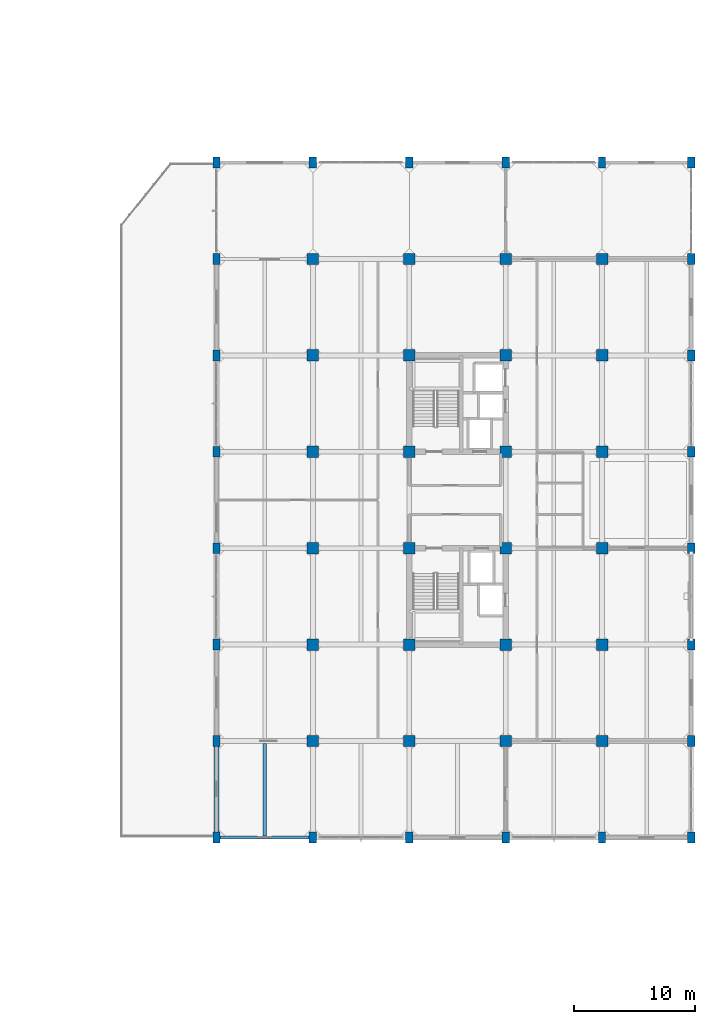
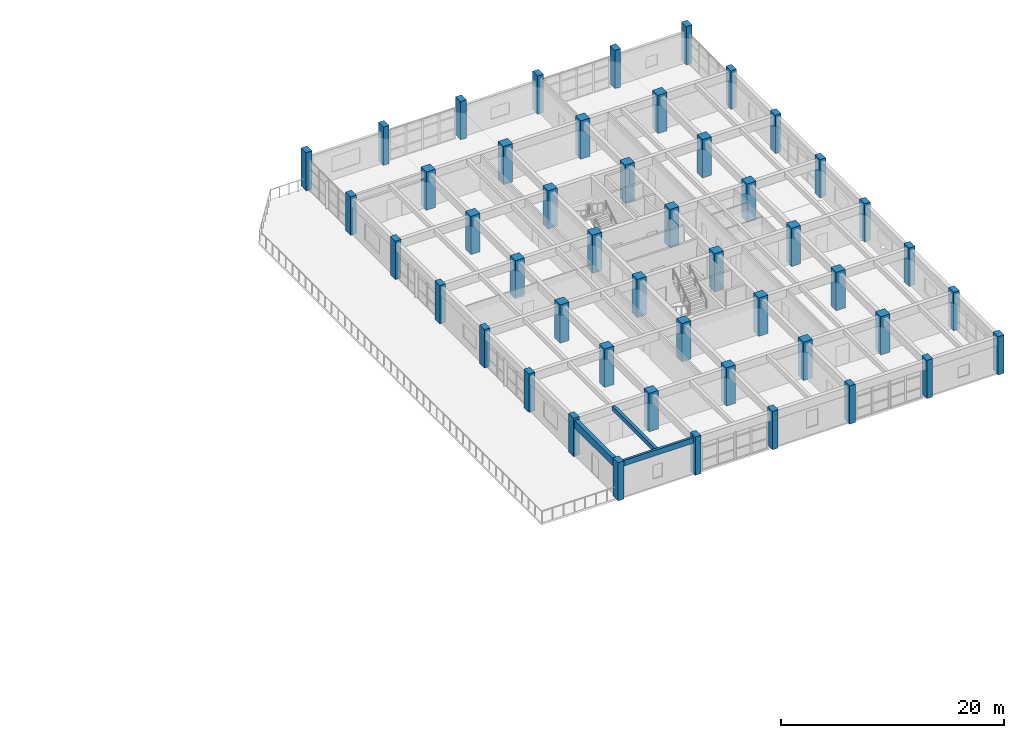
# One storey, part 1 of 35: 48 columns, 3 beams.
"""IFC4 building model written with IfcOpenShell, lengths in metres."""

from ifc_helpers import new_model, si_unit, direction, frame, origin, origin_2d, place, context, subcontext, project, spatial, rectangle, extrude, material, material_profile, profile_set, type_object, element, save


model = new_model("IFC4")

# Units and contexts
model_context = context("Model", 3, precision=1e-05, world=origin(), true_north=direction((0.0, 1.0)))
body_context = subcontext(model_context, "Body", "Model", "MODEL_VIEW")
ifc_project = project(units=[si_unit("LENGTHUNIT", "METRE"), si_unit("AREAUNIT", "SQUARE_METRE"), si_unit("VOLUMEUNIT", "CUBIC_METRE"), si_unit("PLANEANGLEUNIT", "RADIAN"), si_unit("MASSUNIT", "GRAM", prefix="KILO")], contexts=[model_context])

# Site, building, storey
site_placement = place(None, origin())
site = spatial("IfcSite", under=ifc_project, at=site_placement, CompositionType="ELEMENT")
building_placement = place(site_placement, origin())
building = spatial("IfcBuilding", under=site, at=building_placement, Name="Canggui Botanical Conservatory", CompositionType="ELEMENT")
storey_placement = place(building_placement, frame((0.0, 0.0, 15.0)))
storey = spatial("IfcBuildingStorey", under=building, at=storey_placement, Name="L04", CompositionType="ELEMENT", Elevation=15.0)

# Columns
ifc_material_1 = material(Name="Concrete C50", Category="concrete")
ifc_material_profile_1 = material_profile(ifc_material_1, rectangle(XDim=0.949951171875, YDim=0.949951171875, at=origin_2d()), Name="RC 950x950")
ifc_profile_set_1 = profile_set([ifc_material_profile_1], Name="Concrete C50")
column_type_1 = type_object("IfcColumnType", Name="COL-KZ04", PredefinedType="COLUMN", material=ifc_profile_set_1)
for number, where, z_axis, x_axis, name in (
    (1, (146.0, 34.0, 0.0), (0.0, 0.0, 1.0), (1.0, 0.0, 0.0), "Tower RC Column L04 (146,34)"),
    (2, (146.0, 42.0, 0.0), (0.0, 0.0, 1.0), (1.0, 0.0, 0.0), "Tower RC Column L04 (146,42)"),
    (3, (146.0, 50.0, 0.0), (0.0, 0.0, 1.0), (1.0, 0.0, 0.0), "Tower RC Column L04 (146,50)"),
    (4, (146.0, 58.0, 0.0), (0.0, 0.0, 1.0), (1.0, 0.0, 0.0), "Tower RC Column L04 (146,58)"),
    (5, (146.0, 66.0, 0.0), (0.0, 0.0, 1.0), (1.0, 0.0, 0.0), "Tower RC Column L04 (146,66)"),
    (6, (146.0, 74.0, 0.0), (0.0, 0.0, 1.0), (1.0, 0.0, 0.0), "Tower RC Column L04 (146,74)"),
    (7, (154.0, 34.0, 0.0), (0.0, 0.0, 1.0), (1.0, 0.0, 0.0), "Tower RC Column L04 (154,34)"),
    (8, (154.0, 42.0, 0.0), (0.0, 0.0, 1.0), (1.0, 0.0, 0.0), "Tower RC Column L04 (154,42)"),
    (9, (154.0, 50.0, 0.0), (0.0, 0.0, 1.0), (1.0, 0.0, 0.0), "Tower RC Column L04 (154,50)"),
    (10, (154.0, 58.0, 0.0), (0.0, 0.0, 1.0), (1.0, 0.0, 0.0), "Tower RC Column L04 (154,58)"),
    (11, (154.0, 66.0, 0.0), (0.0, 0.0, 1.0), (1.0, 0.0, 0.0), "Tower RC Column L04 (154,66)"),
    (12, (154.0, 74.0, 0.0), (0.0, 0.0, 1.0), (1.0, 0.0, 0.0), "Tower RC Column L04 (154,74)"),
    (13, (162.0, 34.0, 0.0), (0.0, 0.0, 1.0), (1.0, 0.0, 0.0), "Tower RC Column L04 (162,34)"),
    (14, (162.0, 42.0, 0.0), (0.0, 0.0, 1.0), (1.0, 0.0, 0.0), "Tower RC Column L04 (162,42)"),
    (15, (162.0, 50.0, 0.0), (0.0, 0.0, 1.0), (1.0, 0.0, 0.0), "Tower RC Column L04 (162,50)"),
    (16, (162.0, 58.0, 0.0), (0.0, 0.0, 1.0), (1.0, 0.0, 0.0), "Tower RC Column L04 (162,58)"),
    (17, (162.0, 66.0, 0.0), (0.0, 0.0, 1.0), (1.0, 0.0, 0.0), "Tower RC Column L04 (162,66)"),
    (18, (162.0, 74.0, 0.0), (0.0, 0.0, 1.0), (1.0, 0.0, 0.0), "Tower RC Column L04 (162,74)"),
    (19, (170.0, 34.0, 0.0), (0.0, 0.0, 1.0), (1.0, 0.0, 0.0), "Tower RC Column L04 (170,34)"),
    (20, (170.0, 42.0, 0.0), (0.0, 0.0, 1.0), (1.0, 0.0, 0.0), "Tower RC Column L04 (170,42)"),
    (21, (170.0, 50.0, 0.0), (0.0, 0.0, 1.0), (1.0, 0.0, 0.0), "Tower RC Column L04 (170,50)"),
    (22, (170.0, 58.0, 0.0), (0.0, 0.0, 1.0), (1.0, 0.0, 0.0), "Tower RC Column L04 (170,58)"),
    (23, (170.0, 66.0, 0.0), (0.0, 0.0, 1.0), (1.0, 0.0, 0.0), "Tower RC Column L04 (170,66)"),
    (24, (170.0, 74.0, 0.0), (0.0, 0.0, 1.0), (1.0, 0.0, 0.0), "Tower RC Column L04 (170,74)"),
):
    element("IfcColumn", number, at=place(storey_placement, frame(where, z_axis=z_axis, x_axis=x_axis)), inside=storey, type_object=column_type_1, Name=name, PredefinedType="COLUMN", context=body_context, shape_type="SweptSolid", body=[
        extrude(rectangle(XDim=0.949951171875, YDim=0.949951171875, at=origin_2d()), origin(), (0.0, 0.0, 1.0), 4.199951171875),
    ])
ifc_material_profile_2 = material_profile(ifc_material_1, rectangle(XDim=0.60009765625, YDim=0.89990234375, at=origin_2d()), Name="RC 600x900")
ifc_profile_set_2 = profile_set([ifc_material_profile_2], Name="Concrete C50")
column_type_2 = type_object("IfcColumnType", Name="COL-KZ17", PredefinedType="COLUMN", material=ifc_profile_set_2)
for number, where, z_axis, x_axis, name in (
    (25, (138.0, 26.0, 0.0), (0.0, 0.0, 1.0), (1.0, 0.0, 0.0), "Tower RC Column L04 (138,26)"),
    (26, (138.0, 34.0, 0.0), (0.0, 0.0, 1.0), (1.0, 0.0, 0.0), "Tower RC Column L04 (138,34)"),
    (27, (138.0, 42.0, 0.0), (0.0, 0.0, 1.0), (1.0, 0.0, 0.0), "Tower RC Column L04 (138,42)"),
    (28, (138.0, 50.0, 0.0), (0.0, 0.0, 1.0), (1.0, 0.0, 0.0), "Tower RC Column L04 (138,50)"),
    (29, (138.0, 58.0, 0.0), (0.0, 0.0, 1.0), (1.0, 0.0, 0.0), "Tower RC Column L04 (138,58)"),
    (30, (138.0, 66.0, 0.0), (0.0, 0.0, 1.0), (1.0, 0.0, 0.0), "Tower RC Column L04 (138,66)"),
    (31, (138.0, 74.0, 0.0), (0.0, 0.0, 1.0), (1.0, 0.0, 0.0), "Tower RC Column L04 (138,74)"),
    (32, (138.0, 82.0, 0.0), (0.0, 0.0, 1.0), (1.0, 0.0, 0.0), "Tower RC Column L04 (138,82)"),
    (33, (146.0, 26.0, 0.0), (0.0, 0.0, 1.0), (1.0, 0.0, 0.0), "Tower RC Column L04 (146,26)"),
    (34, (146.0, 82.0, 0.0), (0.0, 0.0, 1.0), (1.0, 0.0, 0.0), "Tower RC Column L04 (146,82)"),
    (35, (154.0, 26.0, 0.0), (0.0, 0.0, 1.0), (1.0, 0.0, 0.0), "Tower RC Column L04 (154,26)"),
    (36, (154.0, 82.0, 0.0), (0.0, 0.0, 1.0), (1.0, 0.0, 0.0), "Tower RC Column L04 (154,82)"),
    (37, (162.0, 26.0, 0.0), (0.0, 0.0, 1.0), (1.0, 0.0, 0.0), "Tower RC Column L04 (162,26)"),
    (38, (162.0, 82.0, 0.0), (0.0, 0.0, 1.0), (1.0, 0.0, 0.0), "Tower RC Column L04 (162,82)"),
    (39, (170.0, 26.0, 0.0), (0.0, 0.0, 1.0), (1.0, 0.0, 0.0), "Tower RC Column L04 (170,26)"),
    (40, (170.0, 82.0, 0.0), (0.0, 0.0, 1.0), (1.0, 0.0, 0.0), "Tower RC Column L04 (170,82)"),
    (41, (177.39990234375, 26.0, 0.0), (0.0, 0.0, 1.0), (1.0, 0.0, 0.0), "Tower RC Column L04 (178,26)"),
    (42, (177.39990234375, 34.0, 0.0), (0.0, 0.0, 1.0), (1.0, 0.0, 0.0), "Tower RC Column L04 (178,34)"),
    (43, (177.39990234375, 42.0, 0.0), (0.0, 0.0, 1.0), (1.0, 0.0, 0.0), "Tower RC Column L04 (178,42)"),
    (44, (177.39990234375, 50.0, 0.0), (0.0, 0.0, 1.0), (1.0, 0.0, 0.0), "Tower RC Column L04 (178,50)"),
    (45, (177.39990234375, 58.0, 0.0), (0.0, 0.0, 1.0), (1.0, 0.0, 0.0), "Tower RC Column L04 (178,58)"),
    (46, (177.39990234375, 66.0, 0.0), (0.0, 0.0, 1.0), (1.0, 0.0, 0.0), "Tower RC Column L04 (178,66)"),
    (47, (177.39990234375, 74.0, 0.0), (0.0, 0.0, 1.0), (1.0, 0.0, 0.0), "Tower RC Column L04 (178,74)"),
    (48, (177.39990234375, 82.0, 0.0), (0.0, 0.0, 1.0), (1.0, 0.0, 0.0), "Tower RC Column L04 (178,82)"),
):
    element("IfcColumn", number, at=place(storey_placement, frame(where, z_axis=z_axis, x_axis=x_axis)), inside=storey, type_object=column_type_2, Name=name, PredefinedType="COLUMN", context=body_context, shape_type="SweptSolid", body=[
        extrude(rectangle(XDim=0.60009765625, YDim=0.89990234375, at=origin_2d()), origin(), (0.0, 0.0, 1.0), 4.199951171875),
    ])

# Beams
ifc_material_2 = material(Name="Concrete C35", Category="concrete")
ifc_material_profile_3 = material_profile(ifc_material_2, rectangle(XDim=0.300048828125, YDim=0.5, at=origin_2d()), Name="RB 300x500")
ifc_profile_set_3 = profile_set([ifc_material_profile_3], Name="Concrete C35")
beam_type_1 = type_object("IfcBeamType", Name="BM-JST02", PredefinedType="JOIST", material=ifc_profile_set_3)
beam_1_placement = place(storey_placement, frame((142.0, 26.1298828125, 3.699951171875), z_axis=(0.0, 1.0, 0.0), x_axis=(-1.0, 0.0, 0.0)))
element("IfcBeam", 49, at=beam_1_placement, inside=storey, type_object=beam_type_1, Name="Secondary Floor Joist L04-1-1", PredefinedType="JOIST", context=body_context, shape_type="SweptSolid", body=[
    extrude(rectangle(XDim=0.300048828125, YDim=0.5, at=origin_2d()), origin(), (0.0, 0.0, 1.0), 7.6650390625),
])
ifc_material_profile_4 = material_profile(ifc_material_2, rectangle(XDim=0.39990234375, YDim=0.85009765625, at=origin_2d()), Name="RB 400x850")
ifc_profile_set_4 = profile_set([ifc_material_profile_4], Name="Concrete C35")
beam_type_2 = type_object("IfcBeamType", Name="BM-KL08", PredefinedType="BEAM", material=ifc_profile_set_4)
beam_2_placement = place(storey_placement, frame((138.0, 26.0, 3.52490234375), z_axis=(0.0, 1.0, 0.0), x_axis=(-1.0, 0.0, 0.0)))
element("IfcBeam", 50, at=beam_2_placement, inside=storey, type_object=beam_type_2, Name="Frame Girder L04 X138-1", PredefinedType="BEAM", context=body_context, shape_type="SweptSolid", body=[
    extrude(rectangle(XDim=0.39990234375, YDim=0.85009765625, at=origin_2d()), origin(), (0.0, 0.0, 1.0), 8.0),
])
ifc_material_profile_5 = material_profile(ifc_material_2, rectangle(XDim=0.25, YDim=0.60009765625, at=origin_2d()), Name="RB 250x600")
ifc_profile_set_5 = profile_set([ifc_material_profile_5], Name="Concrete C35")
beam_type_3 = type_object("IfcBeamType", Name="BM-SPD02", PredefinedType="SPANDREL", material=ifc_profile_set_5)
beam_3_placement = place(storey_placement, frame((138.0, 26.0, 3.64990234375), z_axis=(1.0, 0.0, 0.0), x_axis=(0.0, 1.0, 0.0)))
element("IfcBeam", 51, at=beam_3_placement, inside=storey, type_object=beam_type_3, Name="Frame Girder L04 Y26-1", PredefinedType="SPANDREL", context=body_context, shape_type="SweptSolid", body=[
    extrude(rectangle(XDim=0.25, YDim=0.60009765625, at=origin_2d()), origin(), (0.0, 0.0, 1.0), 8.0),
])

save(model, "model.ifc")
